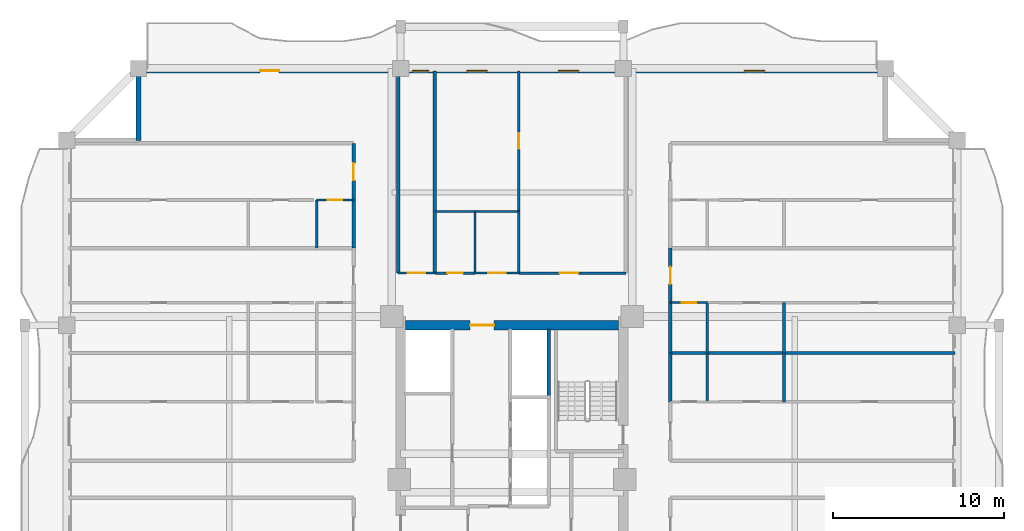
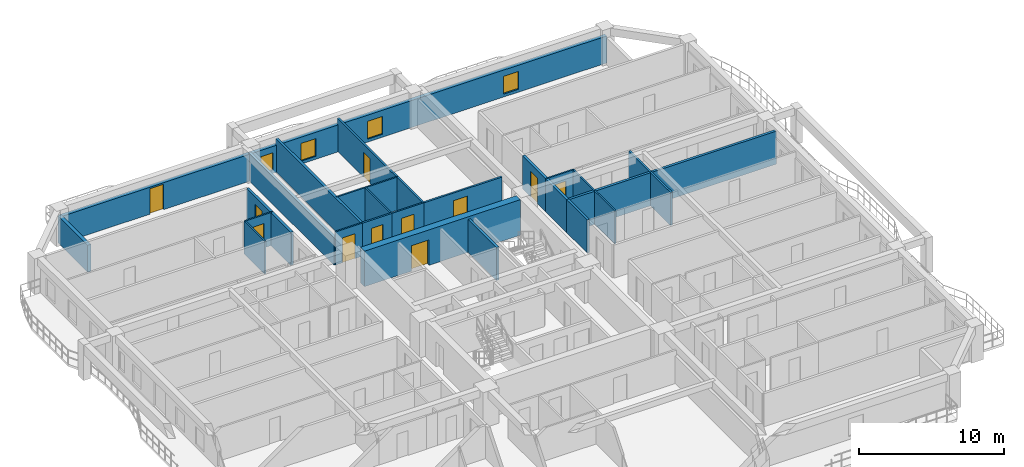
# One storey, part 7 of 13: 27 walls, 11 doors, 4 windows, 15 openings.
"""IFC4 building model written with IfcOpenShell, lengths in metres."""

from ifc_helpers import new_model, si_unit, direction, frame, frame_2d, origin, place, context, subcontext, project, spatial, rectangle, extrude, source, transform, mapped, material, layer, layer_set, type_object, element, fill, save


model = new_model("IFC4")

# Units and contexts
model_context = context("Model", 3, precision=1e-05, world=origin(), true_north=direction((0.0, 1.0)))
body_context = subcontext(model_context, "Body", "Model", "MODEL_VIEW")
ifc_project = project(units=[si_unit("LENGTHUNIT", "METRE"), si_unit("AREAUNIT", "SQUARE_METRE"), si_unit("VOLUMEUNIT", "CUBIC_METRE"), si_unit("PLANEANGLEUNIT", "RADIAN"), si_unit("MASSUNIT", "GRAM", prefix="KILO")], contexts=[model_context])

# Site, building, storey
site_placement = place(None, origin())
site = spatial("IfcSite", under=ifc_project, at=site_placement, CompositionType="ELEMENT")
building_placement = place(site_placement, origin())
building = spatial("IfcBuilding", under=site, at=building_placement, Name="Saelheon Loggia Tower", CompositionType="ELEMENT")
storey_placement = place(building_placement, frame((0.0, 0.0, 92.85009765625)))
storey = spatial("IfcBuildingStorey", under=building, at=storey_placement, Name="L29", CompositionType="ELEMENT", Elevation=92.85009765625)

# Wall, opening, door
ifc_material_1 = material(Name="Concrete C50/60", Category="concrete")
ifc_layer_1 = layer(ifc_material_1, 0.550048828125)
ifc_layer_set_1 = layer_set([ifc_layer_1], Name="Concrete C50/60")
wall_type_1 = type_object("IfcWallType", Name="Wall_CoreShear_550", PredefinedType="SHEAR", material=ifc_layer_set_1)
wall_1_placement = place(storey_placement, frame((31.77490234375, 36.0, 0.0), z_axis=(0.0, 0.0, 1.0), x_axis=(1.0, 0.0, 0.0)))
wall_1 = element("IfcWall", 1, at=wall_1_placement, inside=storey, type_object=wall_type_1, Name="L29 Core Shear Wall North", PredefinedType="SHEAR", context=body_context, shape_type="SweptSolid", body=[
    extrude(rectangle(XDim=12.4501953125, YDim=0.550048828125, at=frame_2d((6.22509765625, 0.0))), origin(), (0.0, 0.0, 1.0), 3.0),
])
opening_1_placement = place(wall_1_placement, frame((5.1748046875, 0.0, 0.0), z_axis=(0.0, 0.0, 1.0), x_axis=(-1.0, 0.0, 0.0)))
opening_1 = element("IfcOpeningElement", 2, at=opening_1_placement, cuts=wall_1, Name="Opening D-FD2L", PredefinedType="OPENING", context=body_context, shape_type="SweptSolid", body=[
    extrude(rectangle(XDim=1.39990234375, YDim=2.14990234375, at=frame_2d((0.699951171875, 1.074951171875))), frame((0.0, 0.287109375, 0.0), z_axis=(0.0, -1.0, 0.0), x_axis=(1.0, 0.0, 0.0)), (0.0, 0.0, 1.0), 0.573974609375),
])
ifc_material_2 = material(Name="Galvanised Steel Glazed Lobby Fire Door", Category="steel")
door_type_1 = type_object("IfcDoorType", Name="Door_Fire_FD60_1400", OperationType="NOTDEFINED", PredefinedType="DOOR", material=ifc_material_2)
shared_shape_1 = source(origin(), body_context, "Body", "SweptSolid", [
    extrude(rectangle(XDim=1.39990234375, YDim=2.14990234375, at=frame_2d((0.699951171875, 1.074951171875))), frame((0.0, 0.02490234375, 0.0), z_axis=(0.0, -1.0, 0.0), x_axis=(1.0, 0.0, 0.0)), (0.0, 0.0, 1.0), 0.050048828125),
])
door_1_placement = place(opening_1_placement, origin())
door_1 = element("IfcDoor", 3, at=door_1_placement, inside=storey, type_object=door_type_1, Name="L29 Passenger Lift Lobby Main Door", OperationType="SINGLE_SWING_RIGHT", OverallHeight=2.14990234375, OverallWidth=1.39990234375, PredefinedType="DOOR", context=body_context, shape_type="MappedRepresentation", body=[
    mapped(shared_shape_1, transform((0.0, 0.0, 0.0), scale=1.0)),
])
fill(opening_1, door_1)

# Wall, openings, windows, door
ifc_material_3 = material(Name="Architectural Precast Concrete C40/50", Category="concrete")
ifc_layer_2 = layer(ifc_material_3, 0.280029296875)
ifc_layer_set_2 = layer_set([ifc_layer_2], Name="Architectural Precast Concrete C40/50")
wall_type_2 = type_object("IfcWallType", Name="Wall_Ext_Loggia_280", PredefinedType="SOLIDWALL", material=ifc_layer_set_2)
wall_2_placement = place(storey_placement, frame((16.199951171875, 50.860107421875, 0.0), z_axis=(0.0, 0.0, 1.0), x_axis=(1.0, 0.0, 0.0)))
wall_2 = element("IfcWall", 4, at=wall_2_placement, inside=storey, type_object=wall_type_2, Name="L29 North Loggia Inner Wall", PredefinedType="SOLIDWALL", context=body_context, shape_type="SweptSolid", body=[
    extrude(rectangle(XDim=43.60009765625, YDim=0.280029296875, at=frame_2d((21.800048828125, 0.0))), origin(), (0.0, 0.0, 1.0), 2.27978515625),
])
opening_2_placement = place(wall_2_placement, frame((7.10009765625, 0.0, 0.0)))
opening_2 = element("IfcOpeningElement", 5, at=opening_2_placement, cuts=wall_2, Name="Opening TD1", PredefinedType="OPENING", context=body_context, shape_type="SweptSolid", body=[
    extrude(rectangle(XDim=1.10009765625, YDim=2.14990234375, at=frame_2d((0.550048828125, 1.074951171875))), frame((0.0, 0.152099609375, 0.0), z_axis=(0.0, -1.0, 0.0), x_axis=(1.0, 0.0, 0.0)), (0.0, 0.0, 1.0), 0.303955078125),
])
opening_3_placement = place(wall_2_placement, frame((15.982421875, 0.0, 0.25)))
opening_3 = element("IfcOpeningElement", 6, at=opening_3_placement, cuts=wall_2, Name="Opening WN-04", PredefinedType="OPENING", context=body_context, shape_type="SweptSolid", body=[
    extrude(rectangle(XDim=0.949951171875, YDim=1.5, at=frame_2d((0.47509765625, 0.75))), frame((0.0, 0.152099609375, 0.0), z_axis=(0.0, -1.0, 0.0), x_axis=(1.0, 0.0, 0.0)), (0.0, 0.0, 1.0), 0.303955078125),
])
opening_4_placement = place(wall_2_placement, frame((19.14990234375, 0.0, 0.25)))
opening_4 = element("IfcOpeningElement", 7, at=opening_4_placement, cuts=wall_2, Name="Opening WN-03", PredefinedType="OPENING", context=body_context, shape_type="SweptSolid", body=[
    extrude(rectangle(XDim=1.199951171875, YDim=1.5, at=frame_2d((0.60009765625, 0.75))), frame((0.0, 0.152099609375, 0.0), z_axis=(0.0, -1.0, 0.0), x_axis=(1.0, 0.0, 0.0)), (0.0, 0.0, 1.0), 0.303955078125),
])
opening_5_placement = place(wall_2_placement, frame((24.492431640625, 0.0, 0.25)))
opening_5 = element("IfcOpeningElement", 8, at=opening_5_placement, cuts=wall_2, Name="Opening WN-03", PredefinedType="OPENING", context=body_context, shape_type="SweptSolid", body=[
    extrude(rectangle(XDim=1.199951171875, YDim=1.5, at=frame_2d((0.60009765625, 0.75))), frame((0.0, 0.152099609375, 0.0), z_axis=(0.0, -1.0, 0.0), x_axis=(1.0, 0.0, 0.0)), (0.0, 0.0, 1.0), 0.303955078125),
])
opening_6_placement = place(wall_2_placement, frame((35.35009765625, 0.0, 0.25)))
opening_6 = element("IfcOpeningElement", 9, at=opening_6_placement, cuts=wall_2, Name="Opening WN-03", PredefinedType="OPENING", context=body_context, shape_type="SweptSolid", body=[
    extrude(rectangle(XDim=1.199951171875, YDim=1.5, at=frame_2d((0.60009765625, 0.75))), frame((0.0, 0.152099609375, 0.0), z_axis=(0.0, -1.0, 0.0), x_axis=(1.0, 0.0, 0.0)), (0.0, 0.0, 1.0), 0.303955078125),
])
ifc_material_4 = material(Name="Thermal-Break Aluminium and Triple Low-E Glass", Category="aluminium")
window_type_1 = type_object("IfcWindowType", Name="Win_Bedroom_1200x1500", PartitioningType="SINGLE_PANEL", PredefinedType="WINDOW", material=ifc_material_4)
shared_shape_2 = source(origin(), body_context, "Body", "SweptSolid", [
    extrude(rectangle(XDim=1.199951171875, YDim=1.5, at=frame_2d((0.60009765625, 0.75))), frame((0.0, 0.030029296875, 0.0), z_axis=(0.0, -1.0, 0.0), x_axis=(1.0, 0.0, 0.0)), (0.0, 0.0, 1.0), 0.06005859375),
])
window_1_placement = place(opening_4_placement, origin())
window_1 = element("IfcWindow", 10, at=window_1_placement, inside=storey, type_object=window_type_1, Name="L29 N Dwelling Window 3", OverallHeight=1.5, OverallWidth=1.199951171875, PartitioningType="SINGLE_PANEL", PredefinedType="WINDOW", context=body_context, shape_type="MappedRepresentation", body=[
    mapped(shared_shape_2, transform((0.0, 0.0, 0.0), scale=1.0)),
])
fill(opening_4, window_1)
window_2_placement = place(opening_5_placement, origin())
window_2 = element("IfcWindow", 11, at=window_2_placement, inside=storey, type_object=window_type_1, Name="L29 N Dwelling Window 4", OverallHeight=1.5, OverallWidth=1.199951171875, PartitioningType="SINGLE_PANEL", PredefinedType="WINDOW", context=body_context, shape_type="MappedRepresentation", body=[
    mapped(shared_shape_2, transform((0.0, 0.0, 0.0), scale=1.0)),
])
fill(opening_5, window_2)
window_3_placement = place(opening_6_placement, origin())
window_3 = element("IfcWindow", 12, at=window_3_placement, inside=storey, type_object=window_type_1, Name="L29 N Dwelling Window 5", OverallHeight=1.5, OverallWidth=1.199951171875, PartitioningType="SINGLE_PANEL", PredefinedType="WINDOW", context=body_context, shape_type="MappedRepresentation", body=[
    mapped(shared_shape_2, transform((0.0, 0.0, 0.0), scale=1.0)),
])
fill(opening_6, window_3)
ifc_material_5 = material(Name="Thermal-Break Aluminium Glazed Door", Category="aluminium")
door_type_2 = type_object("IfcDoorType", Name="Door_Terrace_TD1", OperationType="NOTDEFINED", PredefinedType="DOOR", material=ifc_material_5)
shared_shape_3 = source(origin(), body_context, "Body", "SweptSolid", [
    extrude(rectangle(XDim=1.10009765625, YDim=2.14990234375, at=frame_2d((0.550048828125, 1.074951171875))), frame((0.0, 0.02490234375, 0.0), z_axis=(0.0, -1.0, 0.0), x_axis=(1.0, 0.0, 0.0)), (0.0, 0.0, 1.0), 0.050048828125),
])
door_2_placement = place(opening_2_placement, origin())
door_2 = element("IfcDoor", 13, at=door_2_placement, inside=storey, type_object=door_type_2, Name="L29 N Loggia Access Door", OperationType="SINGLE_SWING_LEFT", OverallHeight=2.14990234375, OverallWidth=1.10009765625, PredefinedType="DOOR", context=body_context, shape_type="MappedRepresentation", body=[
    mapped(shared_shape_3, transform((0.0, 0.0, 0.0), scale=1.0)),
])
fill(opening_2, door_2)
window_type_2 = type_object("IfcWindowType", Name="Win_Narrow_950x1500", PartitioningType="SINGLE_PANEL", PredefinedType="WINDOW", material=ifc_material_4)
shared_shape_4 = source(origin(), body_context, "Body", "SweptSolid", [
    extrude(rectangle(XDim=0.949951171875, YDim=1.5, at=frame_2d((0.47509765625, 0.75))), frame((0.0, 0.030029296875, 0.0), z_axis=(0.0, -1.0, 0.0), x_axis=(1.0, 0.0, 0.0)), (0.0, 0.0, 1.0), 0.06005859375),
])
window_4_placement = place(opening_3_placement, origin())
window_4 = element("IfcWindow", 14, at=window_4_placement, inside=storey, type_object=window_type_2, Name="L29 N Dwelling Window 2", OverallHeight=1.5, OverallWidth=0.949951171875, PartitioningType="SINGLE_PANEL", PredefinedType="WINDOW", context=body_context, shape_type="MappedRepresentation", body=[
    mapped(shared_shape_4, transform((0.0, 0.0, 0.0), scale=1.0)),
])
fill(opening_3, window_4)

# Walls
wall_3_placement = place(storey_placement, frame((16.199951171875, 46.800048828125, 0.0), z_axis=(0.0, 0.0, 1.0), x_axis=(0.0, 1.0, 0.0)))
element("IfcWall", 15, at=wall_3_placement, inside=storey, type_object=wall_type_2, Name="L29 Corner Notch Precast Wall NW1", PredefinedType="SOLIDWALL", context=body_context, shape_type="SweptSolid", body=[
    extrude(rectangle(XDim=4.119873046875, YDim=0.280029296875, at=frame_2d((2.06005859375, 0.0))), origin(), (0.0, 0.0, 1.0), 2.27978515625),
])
ifc_material_6 = material(Name="Lightweight Autoclaved Aerated Concrete Block and Acoustic Gypsum", Category="concrete")
ifc_layer_3 = layer(ifc_material_6, 0.14990234375)
ifc_layer_set_3 = layer_set([ifc_layer_3], Name="Lightweight Autoclaved Aerated Concrete Block and Acoustic Gypsum")
wall_type_3 = type_object("IfcWallType", Name="Wall_Part_150", PredefinedType="PARTITIONING", material=ifc_layer_set_3)
wall_4_placement = place(storey_placement, frame((38.39990234375, 39.050048828125, 0.0), z_axis=(0.0, 0.0, 1.0), x_axis=(0.0, 1.0, 0.0)))
element("IfcWall", 16, at=wall_4_placement, inside=storey, type_object=wall_type_3, Name="L29 N Partition U06", PredefinedType="PARTITIONING", context=body_context, shape_type="SweptSolid", body=[
    extrude(rectangle(XDim=3.599853515625, YDim=0.14990234375, at=frame_2d((1.7998046875, 0.0))), origin(), (0.0, 0.0, 1.0), 2.789794921875),
])

# Wall, opening, door
wall_5_placement = place(storey_placement, frame((38.39990234375, 42.64990234375, 0.0), z_axis=(0.0, 0.0, 1.0), x_axis=(0.0, 1.0, 0.0)))
wall_5 = element("IfcWall", 17, at=wall_5_placement, inside=storey, type_object=wall_type_3, Name="L29 N Partition U07", PredefinedType="PARTITIONING", context=body_context, shape_type="SweptSolid", body=[
    extrude(rectangle(XDim=8.2001953125, YDim=0.14990234375, at=frame_2d((4.10009765625, 0.0))), origin(), (0.0, 0.0, 1.0), 2.789794921875),
])
opening_7_placement = place(wall_5_placement, frame((3.64990234375, 0.0, 0.0)))
opening_7 = element("IfcOpeningElement", 18, at=opening_7_placement, cuts=wall_5, Name="Opening D-IN2", PredefinedType="OPENING", context=body_context, shape_type="SweptSolid", body=[
    extrude(rectangle(XDim=0.89990234375, YDim=2.10009765625, at=frame_2d((0.449951171875, 1.050048828125))), frame((0.0, 0.0869140625, 0.0), z_axis=(0.0, -1.0, 0.0), x_axis=(1.0, 0.0, 0.0)), (0.0, 0.0, 1.0), 0.173828125),
])
ifc_material_7 = material(Name="Engineered Oak Flush Door", Category="timber")
door_type_3 = type_object("IfcDoorType", Name="Door_Int_900", OperationType="NOTDEFINED", PredefinedType="DOOR", material=ifc_material_7)
shared_shape_5 = source(origin(), body_context, "Body", "SweptSolid", [
    extrude(rectangle(XDim=0.89990234375, YDim=2.10009765625, at=frame_2d((0.449951171875, 1.050048828125))), frame((0.0, 0.02490234375, 0.0), z_axis=(0.0, -1.0, 0.0), x_axis=(1.0, 0.0, 0.0)), (0.0, 0.0, 1.0), 0.050048828125),
])
door_3_placement = place(opening_7_placement, origin())
door_3 = element("IfcDoor", 19, at=door_3_placement, inside=storey, type_object=door_type_3, Name="L29 Reading Alcove Door", OperationType="SINGLE_SWING_RIGHT", OverallHeight=2.10009765625, OverallWidth=0.89990234375, PredefinedType="DOOR", context=body_context, shape_type="MappedRepresentation", body=[
    mapped(shared_shape_5, transform((0.0, 0.0, 0.0), scale=1.0)),
])
fill(opening_7, door_3)

wall_6_placement = place(storey_placement, frame((33.5, 39.050048828125, 0.0), z_axis=(0.0, 0.0, 1.0), x_axis=(1.0, 0.0, 0.0)))
wall_6 = element("IfcWall", 20, at=wall_6_placement, inside=storey, type_object=wall_type_3, Name="L29 N Partition V09", PredefinedType="PARTITIONING", context=body_context, shape_type="SweptSolid", body=[
    extrude(rectangle(XDim=2.35009765625, YDim=0.14990234375, at=frame_2d((1.175048828125, 0.0))), origin(), (0.0, 0.0, 1.0), 2.789794921875),
])
opening_8_placement = place(wall_6_placement, frame((0.72509765625, 0.0, 0.0)))
opening_8 = element("IfcOpeningElement", 21, at=opening_8_placement, cuts=wall_6, Name="Opening D-IN2", PredefinedType="OPENING", context=body_context, shape_type="SweptSolid", body=[
    extrude(rectangle(XDim=0.89990234375, YDim=2.10009765625, at=frame_2d((0.449951171875, 1.050048828125))), frame((0.0, 0.0869140625, 0.0), z_axis=(0.0, -1.0, 0.0), x_axis=(1.0, 0.0, 0.0)), (0.0, 0.0, 1.0), 0.173828125),
])
door_4_placement = place(opening_8_placement, origin())
door_4 = element("IfcDoor", 22, at=door_4_placement, inside=storey, type_object=door_type_3, Name="L29 Community Pantry Door", OperationType="SINGLE_SWING_LEFT", OverallHeight=2.10009765625, OverallWidth=0.89990234375, PredefinedType="DOOR", context=body_context, shape_type="MappedRepresentation", body=[
    mapped(shared_shape_5, transform((0.0, 0.0, 0.0), scale=1.0)),
])
fill(opening_8, door_4)

wall_7_placement = place(storey_placement, frame((38.39990234375, 39.050048828125, 0.0), z_axis=(0.0, 0.0, 1.0), x_axis=(1.0, 0.0, 0.0)))
wall_7 = element("IfcWall", 23, at=wall_7_placement, inside=storey, type_object=wall_type_3, Name="L29 N Partition V11", PredefinedType="PARTITIONING", context=body_context, shape_type="SweptSolid", body=[
    extrude(rectangle(XDim=6.25, YDim=0.14990234375, at=frame_2d((3.125, 0.0))), origin(), (0.0, 0.0, 1.0), 2.789794921875),
])
opening_9_placement = place(wall_7_placement, frame((2.382080078125, 0.0, 0.0)))
opening_9 = element("IfcOpeningElement", 24, at=opening_9_placement, cuts=wall_7, Name="Opening D-FD2", PredefinedType="OPENING", context=body_context, shape_type="SweptSolid", body=[
    extrude(rectangle(XDim=1.10009765625, YDim=2.14990234375, at=frame_2d((0.550048828125, 1.074951171875))), frame((0.0, 0.0869140625, 0.0), z_axis=(0.0, -1.0, 0.0), x_axis=(1.0, 0.0, 0.0)), (0.0, 0.0, 1.0), 0.173828125),
])
ifc_material_8 = material(Name="Galvanised Steel Fire Door", Category="steel")
door_type_4 = type_object("IfcDoorType", Name="Door_Fire_FD60_1100", OperationType="NOTDEFINED", PredefinedType="DOOR", material=ifc_material_8)
door_5_placement = place(opening_9_placement, origin())
door_5 = element("IfcDoor", 25, at=door_5_placement, inside=storey, type_object=door_type_4, Name="L29 Community Reading Library Door A", OperationType="SINGLE_SWING_LEFT", OverallHeight=2.14990234375, OverallWidth=1.10009765625, PredefinedType="DOOR", context=body_context, shape_type="MappedRepresentation", body=[
    mapped(shared_shape_3, transform((0.0, 0.0, 0.0), scale=1.0)),
])
fill(opening_9, door_5)

# Walls
wall_8_placement = place(storey_placement, frame((53.8798828125, 31.53369140625, 0.0), z_axis=(0.0, 0.0, 1.0), x_axis=(0.0, 1.0, 0.0)))
element("IfcWall", 26, at=wall_8_placement, inside=storey, type_object=wall_type_3, Name="L29 EN Partition V08", PredefinedType="PARTITIONING", context=body_context, shape_type="SweptSolid", body=[
    extrude(rectangle(XDim=2.849853515625, YDim=0.14990234375, at=frame_2d((1.4248046875, 0.0))), origin(), (0.0, 0.0, 1.0), 2.789794921875),
])
wall_9_placement = place(storey_placement, frame((53.8798828125, 34.383544921875, 0.0), z_axis=(0.0, 0.0, 1.0), x_axis=(0.0, 1.0, 0.0)))
element("IfcWall", 27, at=wall_9_placement, inside=storey, type_object=wall_type_3, Name="L29 EN Partition V17", PredefinedType="PARTITIONING", context=body_context, shape_type="SweptSolid", body=[
    extrude(rectangle(XDim=2.9365234375, YDim=0.14990234375, at=frame_2d((1.46826171875, 0.0))), origin(), (0.0, 0.0, 1.0), 2.789794921875),
])
ifc_material_9 = material(Name="Double Acoustic Stud and Fireboard Partition", Category="gypsum")
ifc_layer_4 = layer(ifc_material_9, 0.199951171875)
ifc_layer_set_4 = layer_set([ifc_layer_4], Name="Double Acoustic Stud and Fireboard Partition")
wall_type_4 = type_object("IfcWallType", Name="Wall_Party_200", PredefinedType="PARTITIONING", material=ifc_layer_set_4)
wall_10_placement = place(storey_placement, frame((31.35009765625, 39.050048828125, 0.0), z_axis=(0.0, 0.0, 1.0), x_axis=(0.0, 1.0, 0.0)))
element("IfcWall", 28, at=wall_10_placement, inside=storey, type_object=wall_type_4, Name="L29 N Partition U01", PredefinedType="PARTITIONING", context=body_context, shape_type="SweptSolid", body=[
    extrude(rectangle(XDim=11.800048828125, YDim=0.199951171875, at=frame_2d((5.89990234375, 0.0))), origin(), (0.0, 0.0, 1.0), 2.33984375),
])
wall_11_placement = place(storey_placement, frame((33.5, 39.050048828125, 0.0), z_axis=(0.0, 0.0, 1.0), x_axis=(0.0, 1.0, 0.0)))
element("IfcWall", 29, at=wall_11_placement, inside=storey, type_object=wall_type_4, Name="L29 N Partition U03", PredefinedType="PARTITIONING", context=body_context, shape_type="SweptSolid", body=[
    extrude(rectangle(XDim=11.800048828125, YDim=0.199951171875, at=frame_2d((5.89990234375, 0.0))), origin(), (0.0, 0.0, 1.0), 2.789794921875),
])
wall_12_placement = place(storey_placement, frame((28.75, 40.501708984375, 0.0), z_axis=(0.0, 0.0, 1.0), x_axis=(0.0, 1.0, 0.0)))
element("IfcWall", 30, at=wall_12_placement, inside=storey, type_object=wall_type_4, Name="L29 WN Partition V19", PredefinedType="PARTITIONING", context=body_context, shape_type="SweptSolid", body=[
    extrude(rectangle(XDim=2.814453125, YDim=0.199951171875, at=frame_2d((1.4072265625, 0.0))), origin(), (0.0, 0.0, 1.0), 2.789794921875),
])

# Wall, opening, door
wall_13_placement = place(storey_placement, frame((28.75, 43.316162109375, 0.0), z_axis=(0.0, 0.0, 1.0), x_axis=(0.0, 1.0, 0.0)))
wall_13 = element("IfcWall", 31, at=wall_13_placement, inside=storey, type_object=wall_type_4, Name="L29 WN Partition V20", PredefinedType="PARTITIONING", context=body_context, shape_type="SweptSolid", body=[
    extrude(rectangle(XDim=3.303955078125, YDim=0.199951171875, at=frame_2d((1.65185546875, 0.0))), origin(), (0.0, 0.0, 1.0), 2.789794921875),
])
opening_10_placement = place(wall_13_placement, frame((1.15185546875, 0.0, 0.0)))
opening_10 = element("IfcOpeningElement", 32, at=opening_10_placement, cuts=wall_13, Name="Opening D-FD1", PredefinedType="OPENING", context=body_context, shape_type="SweptSolid", body=[
    extrude(rectangle(XDim=1.0, YDim=2.14990234375, at=frame_2d((0.5, 1.074951171875))), frame((0.0, 0.112060546875, 0.0), z_axis=(0.0, -1.0, 0.0), x_axis=(1.0, 0.0, 0.0)), (0.0, 0.0, 1.0), 0.223876953125),
])
ifc_material_10 = material(Name="Fire-Rated Engineered Timber Entrance Door", Category="wood")
door_type_5 = type_object("IfcDoorType", Name="Door_Flat_FD30S", OperationType="NOTDEFINED", PredefinedType="DOOR", material=ifc_material_10)
shared_shape_6 = source(origin(), body_context, "Body", "SweptSolid", [
    extrude(rectangle(XDim=1.0, YDim=2.14990234375, at=frame_2d((0.5, 1.074951171875))), frame((0.0, 0.02490234375, 0.0), z_axis=(0.0, -1.0, 0.0), x_axis=(1.0, 0.0, 0.0)), (0.0, 0.0, 1.0), 0.050048828125),
])
door_6_placement = place(opening_10_placement, origin())
door_6 = element("IfcDoor", 33, at=door_6_placement, inside=storey, type_object=door_type_5, Name="Unit U06 Entrance Door", OperationType="SINGLE_SWING_RIGHT", OverallHeight=2.14990234375, OverallWidth=1.0, PredefinedType="DOOR", context=body_context, shape_type="MappedRepresentation", body=[
    mapped(shared_shape_6, transform((0.0, 0.0, 0.0), scale=1.0)),
])
fill(opening_10, door_6)

# Walls
wall_14_placement = place(storey_placement, frame((47.25, 31.53369140625, 0.0), z_axis=(0.0, 0.0, 1.0), x_axis=(0.0, 1.0, 0.0)))
element("IfcWall", 34, at=wall_14_placement, inside=storey, type_object=wall_type_4, Name="L29 EN Partition V04", PredefinedType="PARTITIONING", context=body_context, shape_type="SweptSolid", body=[
    extrude(rectangle(XDim=2.849853515625, YDim=0.199951171875, at=frame_2d((1.4248046875, 0.0))), origin(), (0.0, 0.0, 1.0), 2.789794921875),
])
wall_15_placement = place(storey_placement, frame((47.25, 34.383544921875, 0.0), z_axis=(0.0, 0.0, 1.0), x_axis=(1.0, 0.0, 0.0)))
element("IfcWall", 35, at=wall_15_placement, inside=storey, type_object=wall_type_4, Name="L29 EN Partition U11", PredefinedType="PARTITIONING", context=body_context, shape_type="SweptSolid", body=[
    extrude(rectangle(XDim=16.60009765625, YDim=0.199951171875, at=frame_2d((8.300048828125, 0.0))), origin(), (0.0, 0.0, 1.0), 2.789794921875),
])
wall_16_placement = place(storey_placement, frame((47.25, 34.383544921875, 0.0), z_axis=(0.0, 0.0, 1.0), x_axis=(0.0, 1.0, 0.0)))
element("IfcWall", 36, at=wall_16_placement, inside=storey, type_object=wall_type_4, Name="L29 EN Partition V12", PredefinedType="PARTITIONING", context=body_context, shape_type="SweptSolid", body=[
    extrude(rectangle(XDim=2.9365234375, YDim=0.199951171875, at=frame_2d((1.46826171875, 0.0))), origin(), (0.0, 0.0, 1.0), 2.789794921875),
])

# Wall, opening, door
wall_17_placement = place(storey_placement, frame((47.25, 37.320068359375, 0.0), z_axis=(0.0, 0.0, 1.0), x_axis=(0.0, 1.0, 0.0)))
wall_17 = element("IfcWall", 37, at=wall_17_placement, inside=storey, type_object=wall_type_4, Name="L29 EN Partition V13", PredefinedType="PARTITIONING", context=body_context, shape_type="SweptSolid", body=[
    extrude(rectangle(XDim=3.181640625, YDim=0.199951171875, at=frame_2d((1.5908203125, 0.0))), origin(), (0.0, 0.0, 1.0), 2.789794921875),
])
opening_11_placement = place(wall_17_placement, frame((1.0908203125, 0.0, 0.0)))
opening_11 = element("IfcOpeningElement", 38, at=opening_11_placement, cuts=wall_17, Name="Opening D-FD1", PredefinedType="OPENING", context=body_context, shape_type="SweptSolid", body=[
    extrude(rectangle(XDim=1.0, YDim=2.14990234375, at=frame_2d((0.5, 1.074951171875))), frame((0.0, 0.112060546875, 0.0), z_axis=(0.0, -1.0, 0.0), x_axis=(1.0, 0.0, 0.0)), (0.0, 0.0, 1.0), 0.223876953125),
])
door_7_placement = place(opening_11_placement, origin())
door_7 = element("IfcDoor", 39, at=door_7_placement, inside=storey, type_object=door_type_5, Name="Unit U11 Entrance Door", OperationType="SINGLE_SWING_RIGHT", OverallHeight=2.14990234375, OverallWidth=1.0, PredefinedType="DOOR", context=body_context, shape_type="MappedRepresentation", body=[
    mapped(shared_shape_6, transform((0.0, 0.0, 0.0), scale=1.0)),
])
fill(opening_11, door_7)

# Wall
ifc_material_11 = material(Name="Concrete C40/50", Category="concrete")
ifc_layer_5 = layer(ifc_material_11, 0.199951171875)
ifc_layer_set_5 = layer_set([ifc_layer_5], Name="Concrete C40/50")
wall_type_5 = type_object("IfcWallType", Name="Wall_Shaft_200", PredefinedType="PARTITIONING", material=ifc_layer_set_5)
wall_18_placement = place(storey_placement, frame((40.14990234375, 31.800048828125, 0.0), z_axis=(0.0, 0.0, 1.0), x_axis=(0.0, 1.0, 0.0)))
element("IfcWall", 40, at=wall_18_placement, inside=storey, type_object=wall_type_5, Name="L29 East High-Rise Hoistway East Wall", PredefinedType="PARTITIONING", context=body_context, shape_type="SweptSolid", body=[
    extrude(rectangle(XDim=3.97998046875, YDim=0.199951171875, at=frame_2d((1.989990234375, 0.0))), origin(), (0.0, 0.0, 1.0), 2.789794921875),
])

# Wall, opening, door
ifc_material_12 = material(Name="Moisture-Resistant Cement Board Partition", Category="gypsum")
ifc_layer_6 = layer(ifc_material_12, 0.1201171875)
ifc_layer_set_6 = layer_set([ifc_layer_6], Name="Moisture-Resistant Cement Board Partition")
wall_type_6 = type_object("IfcWallType", Name="Wall_WetPart_120", PredefinedType="PARTITIONING", material=ifc_layer_set_6)
wall_19_placement = place(storey_placement, frame((31.35009765625, 39.050048828125, 0.0), z_axis=(0.0, 0.0, 1.0), x_axis=(1.0, 0.0, 0.0)))
wall_19 = element("IfcWall", 41, at=wall_19_placement, inside=storey, type_object=wall_type_6, Name="L29 N Partition V04", PredefinedType="PARTITIONING", context=body_context, shape_type="SweptSolid", body=[
    extrude(rectangle(XDim=2.14990234375, YDim=0.1201171875, at=frame_2d((1.074951171875, 0.0))), origin(), (0.0, 0.0, 1.0), 2.789794921875),
])
opening_12_placement = place(wall_19_placement, frame((0.574951171875, 0.0, 0.0)))
opening_12 = element("IfcOpeningElement", 42, at=opening_12_placement, cuts=wall_19, Name="Opening D-AC1", PredefinedType="OPENING", context=body_context, shape_type="SweptSolid", body=[
    extrude(rectangle(XDim=1.0, YDim=2.10009765625, at=frame_2d((0.5, 1.050048828125))), frame((0.0, 0.072021484375, 0.0), z_axis=(0.0, -1.0, 0.0), x_axis=(1.0, 0.0, 0.0)), (0.0, 0.0, 1.0), 0.14404296875),
])
ifc_material_13 = material(Name="Accessible Laminate Flush Door", Category="timber")
door_type_6 = type_object("IfcDoorType", Name="Door_Acc_1000", OperationType="NOTDEFINED", PredefinedType="DOOR", material=ifc_material_13)
shared_shape_7 = source(origin(), body_context, "Body", "SweptSolid", [
    extrude(rectangle(XDim=1.0, YDim=2.10009765625, at=frame_2d((0.5, 1.050048828125))), frame((0.0, 0.02490234375, 0.0), z_axis=(0.0, -1.0, 0.0), x_axis=(1.0, 0.0, 0.0)), (0.0, 0.0, 1.0), 0.050048828125),
])
door_8_placement = place(opening_12_placement, origin())
door_8 = element("IfcDoor", 43, at=door_8_placement, inside=storey, type_object=door_type_6, Name="L29 Floor Accessible WC Door", OperationType="SINGLE_SWING_LEFT", OverallHeight=2.10009765625, OverallWidth=1.0, PredefinedType="DOOR", context=body_context, shape_type="MappedRepresentation", body=[
    mapped(shared_shape_7, transform((0.0, 0.0, 0.0), scale=1.0)),
])
fill(opening_12, door_8)

# Walls
wall_20_placement = place(storey_placement, frame((35.85009765625, 39.050048828125, 0.0), z_axis=(0.0, 0.0, 1.0), x_axis=(0.0, 1.0, 0.0)))
element("IfcWall", 44, at=wall_20_placement, inside=storey, type_object=wall_type_6, Name="L29 N Partition U05", PredefinedType="PARTITIONING", context=body_context, shape_type="SweptSolid", body=[
    extrude(rectangle(XDim=3.599853515625, YDim=0.1201171875, at=frame_2d((1.7998046875, 0.0))), origin(), (0.0, 0.0, 1.0), 2.789794921875),
])
wall_21_placement = place(storey_placement, frame((33.5, 42.64990234375, 0.0), z_axis=(0.0, 0.0, 1.0), x_axis=(1.0, 0.0, 0.0)))
element("IfcWall", 45, at=wall_21_placement, inside=storey, type_object=wall_type_6, Name="L29 N Partition V08", PredefinedType="PARTITIONING", context=body_context, shape_type="SweptSolid", body=[
    extrude(rectangle(XDim=4.89990234375, YDim=0.1201171875, at=frame_2d((2.449951171875, 0.0))), origin(), (0.0, 0.0, 1.0), 2.789794921875),
])

# Wall, opening, door
wall_22_placement = place(storey_placement, frame((35.85009765625, 39.050048828125, 0.0), z_axis=(0.0, 0.0, 1.0), x_axis=(1.0, 0.0, 0.0)))
wall_22 = element("IfcWall", 46, at=wall_22_placement, inside=storey, type_object=wall_type_6, Name="L29 N Partition V10", PredefinedType="PARTITIONING", context=body_context, shape_type="SweptSolid", body=[
    extrude(rectangle(XDim=2.5498046875, YDim=0.1201171875, at=frame_2d((1.27490234375, 0.0))), origin(), (0.0, 0.0, 1.0), 2.789794921875),
])
opening_13_placement = place(wall_22_placement, frame((0.77490234375, 0.0, 0.0)))
opening_13 = element("IfcOpeningElement", 47, at=opening_13_placement, cuts=wall_22, Name="Opening D-AC1", PredefinedType="OPENING", context=body_context, shape_type="SweptSolid", body=[
    extrude(rectangle(XDim=1.0, YDim=2.10009765625, at=frame_2d((0.5, 1.050048828125))), frame((0.0, 0.072021484375, 0.0), z_axis=(0.0, -1.0, 0.0), x_axis=(1.0, 0.0, 0.0)), (0.0, 0.0, 1.0), 0.14404296875),
])
door_9_placement = place(opening_13_placement, origin())
door_9 = element("IfcDoor", 48, at=door_9_placement, inside=storey, type_object=door_type_6, Name="L29 Common Washroom Door", OperationType="SINGLE_SWING_RIGHT", OverallHeight=2.10009765625, OverallWidth=1.0, PredefinedType="DOOR", context=body_context, shape_type="MappedRepresentation", body=[
    mapped(shared_shape_7, transform((0.0, 0.0, 0.0), scale=1.0)),
])
fill(opening_13, door_9)

wall_23_placement = place(storey_placement, frame((28.75, 43.316162109375, 0.0), z_axis=(0.0, 0.0, 1.0), x_axis=(-1.0, 0.0, 0.0)))
wall_23 = element("IfcWall", 49, at=wall_23_placement, inside=storey, type_object=wall_type_6, Name="L29 WN Partition U21", PredefinedType="PARTITIONING", context=body_context, shape_type="SweptSolid", body=[
    extrude(rectangle(XDim=2.14990234375, YDim=0.1201171875, at=frame_2d((1.074951171875, 0.0))), origin(), (0.0, 0.0, 1.0), 2.789794921875),
])
opening_14_placement = place(wall_23_placement, frame((0.64990234375, 0.0, 0.0)))
opening_14 = element("IfcOpeningElement", 50, at=opening_14_placement, cuts=wall_23, Name="Opening D-BT1", PredefinedType="OPENING", context=body_context, shape_type="SweptSolid", body=[
    extrude(rectangle(XDim=0.85009765625, YDim=2.050048828125, at=frame_2d((0.425048828125, 1.02490234375))), frame((0.0, 0.072021484375, 0.0), z_axis=(0.0, -1.0, 0.0), x_axis=(1.0, 0.0, 0.0)), (0.0, 0.0, 1.0), 0.14404296875),
])
ifc_material_14 = material(Name="Moisture-Resistant Laminate Timber Door", Category="wood")
door_type_7 = type_object("IfcDoorType", Name="Door_Bath_850", OperationType="NOTDEFINED", PredefinedType="DOOR", material=ifc_material_14)
shared_shape_8 = source(origin(), body_context, "Body", "SweptSolid", [
    extrude(rectangle(XDim=0.85009765625, YDim=2.050048828125, at=frame_2d((0.425048828125, 1.02490234375))), frame((0.0, 0.02490234375, 0.0), z_axis=(0.0, -1.0, 0.0), x_axis=(1.0, 0.0, 0.0)), (0.0, 0.0, 1.0), 0.050048828125),
])
door_10_placement = place(opening_14_placement, origin())
door_10 = element("IfcDoor", 51, at=door_10_placement, inside=storey, type_object=door_type_7, Name="Unit U06 Bathroom Door", OperationType="SINGLE_SWING_LEFT", OverallHeight=2.050048828125, OverallWidth=0.85009765625, PredefinedType="DOOR", context=body_context, shape_type="MappedRepresentation", body=[
    mapped(shared_shape_8, transform((0.0, 0.0, 0.0), scale=1.0)),
])
fill(opening_14, door_10)

# Walls
wall_24_placement = place(storey_placement, frame((26.60009765625, 40.501708984375, 0.0), z_axis=(0.0, 0.0, 1.0), x_axis=(0.0, 1.0, 0.0)))
element("IfcWall", 52, at=wall_24_placement, inside=storey, type_object=wall_type_6, Name="L29 WN Partition V22", PredefinedType="PARTITIONING", context=body_context, shape_type="SweptSolid", body=[
    extrude(rectangle(XDim=2.814453125, YDim=0.1201171875, at=frame_2d((1.4072265625, 0.0))), origin(), (0.0, 0.0, 1.0), 2.789794921875),
])
wall_25_placement = place(storey_placement, frame((49.39990234375, 31.53369140625, 0.0), z_axis=(0.0, 0.0, 1.0), x_axis=(0.0, 1.0, 0.0)))
element("IfcWall", 53, at=wall_25_placement, inside=storey, type_object=wall_type_6, Name="L29 EN Partition V07", PredefinedType="PARTITIONING", context=body_context, shape_type="SweptSolid", body=[
    extrude(rectangle(XDim=2.849853515625, YDim=0.1201171875, at=frame_2d((1.4248046875, 0.0))), origin(), (0.0, 0.0, 1.0), 2.789794921875),
])

# Wall, opening, door
wall_26_placement = place(storey_placement, frame((47.25, 37.320068359375, 0.0), z_axis=(0.0, 0.0, 1.0), x_axis=(1.0, 0.0, 0.0)))
wall_26 = element("IfcWall", 54, at=wall_26_placement, inside=storey, type_object=wall_type_6, Name="L29 EN Partition U14", PredefinedType="PARTITIONING", context=body_context, shape_type="SweptSolid", body=[
    extrude(rectangle(XDim=2.14990234375, YDim=0.1201171875, at=frame_2d((1.074951171875, 0.0))), origin(), (0.0, 0.0, 1.0), 2.789794921875),
])
opening_15_placement = place(wall_26_placement, frame((0.64990234375, 0.0, 0.0)))
opening_15 = element("IfcOpeningElement", 55, at=opening_15_placement, cuts=wall_26, Name="Opening D-BT1", PredefinedType="OPENING", context=body_context, shape_type="SweptSolid", body=[
    extrude(rectangle(XDim=0.85009765625, YDim=2.050048828125, at=frame_2d((0.425048828125, 1.02490234375))), frame((0.0, 0.072021484375, 0.0), z_axis=(0.0, -1.0, 0.0), x_axis=(1.0, 0.0, 0.0)), (0.0, 0.0, 1.0), 0.14404296875),
])
door_11_placement = place(opening_15_placement, origin())
door_11 = element("IfcDoor", 56, at=door_11_placement, inside=storey, type_object=door_type_7, Name="Unit U11 Bathroom Door", OperationType="SINGLE_SWING_LEFT", OverallHeight=2.050048828125, OverallWidth=0.85009765625, PredefinedType="DOOR", context=body_context, shape_type="MappedRepresentation", body=[
    mapped(shared_shape_8, transform((0.0, 0.0, 0.0), scale=1.0)),
])
fill(opening_15, door_11)

# Wall
wall_27_placement = place(storey_placement, frame((49.39990234375, 34.383544921875, 0.0), z_axis=(0.0, 0.0, 1.0), x_axis=(0.0, 1.0, 0.0)))
element("IfcWall", 57, at=wall_27_placement, inside=storey, type_object=wall_type_6, Name="L29 EN Partition V16", PredefinedType="PARTITIONING", context=body_context, shape_type="SweptSolid", body=[
    extrude(rectangle(XDim=2.9365234375, YDim=0.1201171875, at=frame_2d((1.46826171875, 0.0))), origin(), (0.0, 0.0, 1.0), 2.789794921875),
])

save(model, "model.ifc")
